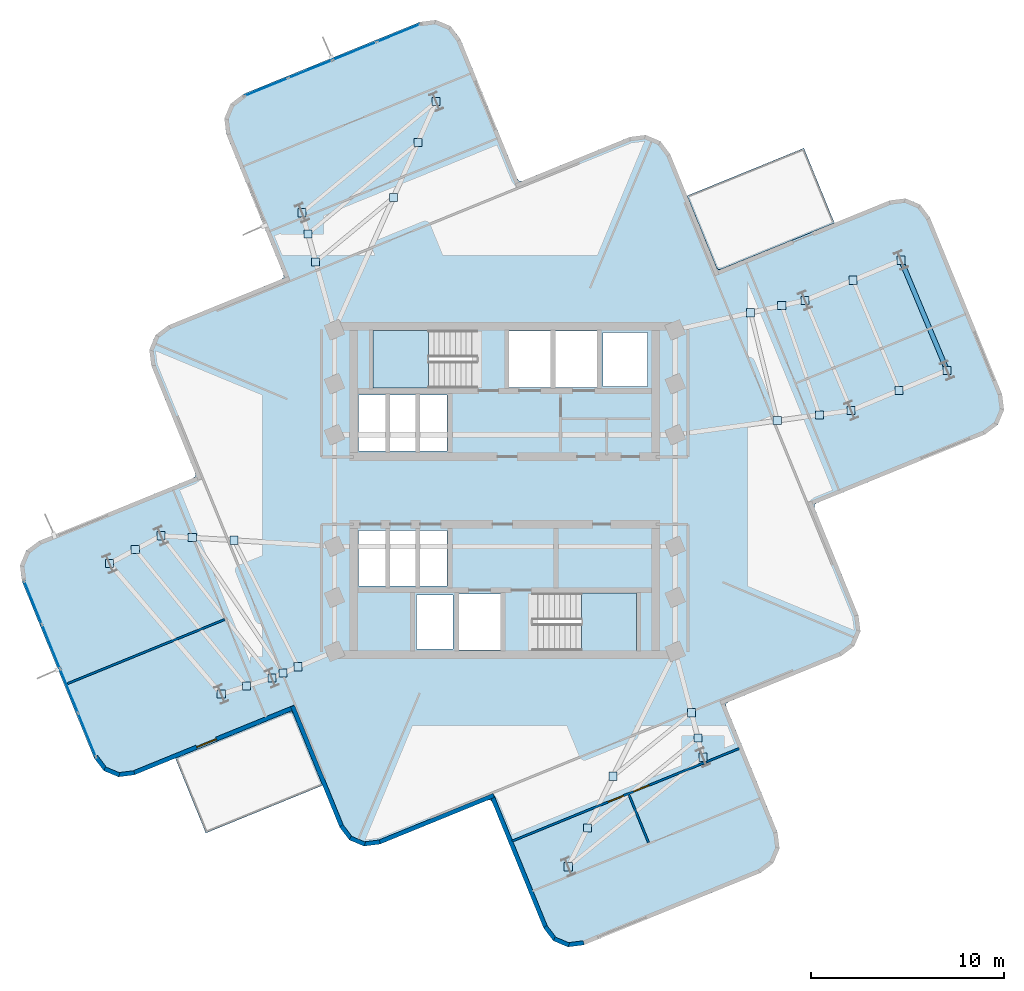
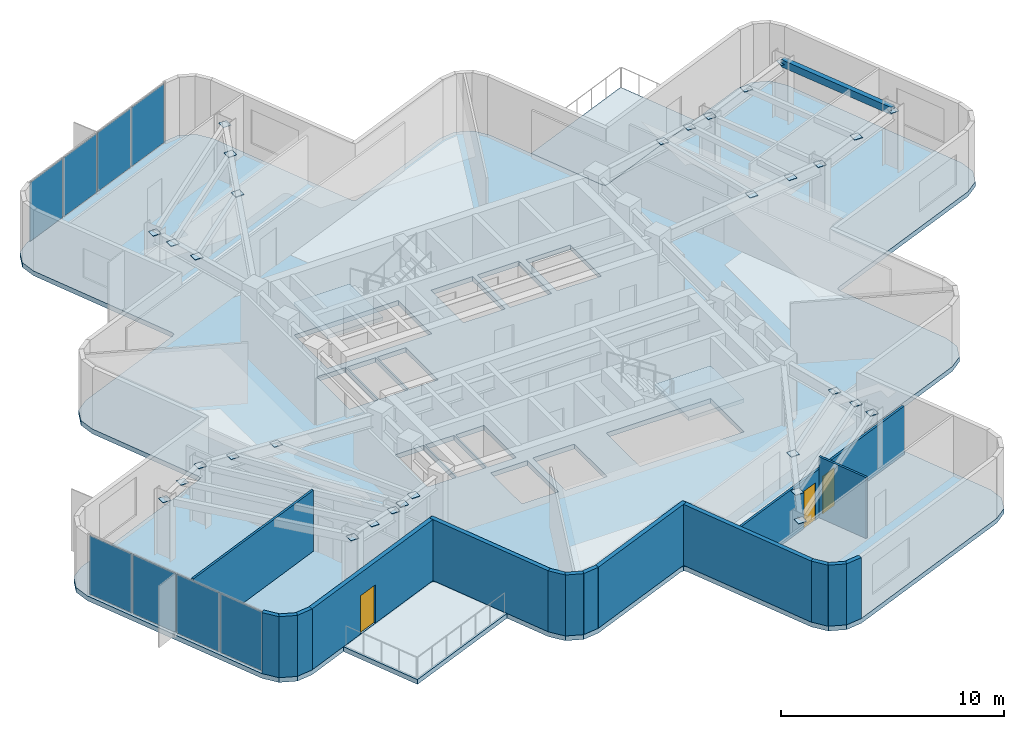
# One storey, part 5 of 11: 40 plates, 16 walls, 5 slabs, 3 doors, 1 beam, 3 openings, 4 elements without a shape of their own.
"""IFC4 building model written with IfcOpenShell, lengths in metres."""

from ifc_helpers import new_model, si_unit, direction, frame, frame_2d, origin, origin_2d, place, context, subcontext, project, spatial, polyline, rectangle, hollow_rectangle, outline, extrude, material, layer, layer_set, material_profile, profile_set, type_object, element, fill, aggregate, save


model = new_model("IFC4")

# Units and contexts
model_context = context("Model", 3, precision=1e-05, world=origin(), true_north=direction((0.0, 1.0)))
body_context = subcontext(model_context, "Body", "Model", "MODEL_VIEW")
ifc_project = project(units=[si_unit("LENGTHUNIT", "METRE"), si_unit("AREAUNIT", "SQUARE_METRE"), si_unit("VOLUMEUNIT", "CUBIC_METRE"), si_unit("PLANEANGLEUNIT", "RADIAN"), si_unit("MASSUNIT", "GRAM", prefix="KILO")], contexts=[model_context])

# Site, building, storey
site_placement = place(None, origin())
site = spatial("IfcSite", under=ifc_project, at=site_placement, CompositionType="ELEMENT")
building_placement = place(site_placement, origin())
building = spatial("IfcBuilding", under=site, at=building_placement, Name="Solmarez Civic Tower", CompositionType="ELEMENT")
storey_placement = place(building_placement, frame((0.0, 0.0, 177.47998046875)))
storey = spatial("IfcBuildingStorey", under=building, at=storey_placement, Name="L47", CompositionType="ELEMENT", Elevation=177.47998046875)

# Beam
ifc_material_1 = material(Name="Steel S355", Category="steel")
ifc_material_profile = material_profile(ifc_material_1, hollow_rectangle(XDim=0.25, YDim=0.39990234375, WallThickness=0.01611328125, at=origin_2d()), Name="HSS400X250X16")
ifc_profile_set = profile_set([ifc_material_profile], Name="Steel S355")
beam_type = type_object("IfcBeamType", Name="BM-SP-HSS400X250", PredefinedType="SPANDREL", material=ifc_profile_set)
beam_placement = place(storey_placement, frame((22.968017578125, 6.248046875, 3.14013671875), z_axis=(-0.385876218946, 0.922550564279, 0.0), x_axis=(-0.922550564279, -0.385876218946, 0.0)))
element("IfcBeam", 1, at=beam_placement, inside=storey, type_object=beam_type, Name="L47 Perimeter Spandrel Beam BM-L47-EA-T2", PredefinedType="SPANDREL", context=body_context, shape_type="SweptSolid", body=[
    extrude(hollow_rectangle(XDim=0.25, YDim=0.39990234375, WallThickness=0.01611328125, at=origin_2d()), origin(), (0.0, 0.0, 1.0), 6.19921875),
])

# Curtain wall, plates
ifc_material_2 = material(Name="Bronze Anodised Aluminium EN AW-6063 T6", Category="aluminium")
ifc_layer_1 = layer(ifc_material_2, 0.155029296875)
ifc_layer_set_1 = layer_set([ifc_layer_1], Name="Bronze Anodised Aluminium EN AW-6063 T6")
curtain_wall_type = type_object("IfcCurtainWallType", Name="CW-SYS-6", PredefinedType="NOTDEFINED", material=ifc_layer_set_1)
curtain_wall_1_placement = place(storey_placement, origin())
curtain_wall_1 = element("IfcCurtainWall", 2, at=curtain_wall_1_placement, inside=storey, type_object=curtain_wall_type, Name="L47 Stick-Built Curtain Wall 1", PredefinedType="NOTDEFINED")
ifc_material_3 = material(Name="Solar Control Low-E Laminated Vision Glass", Category="glass")
ifc_layer_2 = layer(ifc_material_3, 0.031982421875)
ifc_layer_set_2 = layer_set([ifc_layer_2], Name="Solar Control Low-E Laminated Vision Glass")
plate_type_1 = type_object("IfcPlateType", Name="CWP-GLAZ-32", PredefinedType="CURTAIN_PANEL", material=ifc_layer_set_2)
plate_1_placement = place(storey_placement, frame((-21.7041015625, -12.69140625, 0.06005859375), z_axis=(0.0, 0.0, 1.0), x_axis=(-0.377747405635, 0.925908687472, 0.0)))
plate_1 = element("IfcPlate", 3, at=plate_1_placement, type_object=plate_type_1, Name="CWS6 panel 1.1", PredefinedType="CURTAIN_PANEL", context=body_context, shape_type="SweptSolid", body=[
    extrude(rectangle(XDim=2.380126953125, YDim=0.031982421875, at=origin_2d()), origin(), (0.0, 0.0, 1.0), 3.219970703125),
])
plate_2_placement = place(storey_placement, frame((-22.63623046875, -10.406494140625, 0.06005859375), z_axis=(0.0, 0.0, 1.0), x_axis=(-0.377747405635, 0.925908687472, 0.0)))
plate_2 = element("IfcPlate", 4, at=plate_2_placement, type_object=plate_type_1, Name="CWS6 panel 2.1", PredefinedType="CURTAIN_PANEL", context=body_context, shape_type="SweptSolid", body=[
    extrude(rectangle(XDim=2.4150390625, YDim=0.031982421875, at=origin_2d()), origin(), (0.0, 0.0, 1.0), 3.219970703125),
])
plate_3_placement = place(storey_placement, frame((-23.574951171875, -8.10546875, 0.06005859375), z_axis=(0.0, 0.0, 1.0), x_axis=(-0.377747405635, 0.925908687472, 0.0)))
plate_3 = element("IfcPlate", 5, at=plate_3_placement, type_object=plate_type_1, Name="CWS6 panel 3.1", PredefinedType="CURTAIN_PANEL", context=body_context, shape_type="SweptSolid", body=[
    extrude(rectangle(XDim=2.4150390625, YDim=0.031982421875, at=origin_2d()), origin(), (0.0, 0.0, 1.0), 3.219970703125),
])
plate_4_placement = place(storey_placement, frame((-24.507080078125, -5.82080078125, 0.06005859375), z_axis=(0.0, 0.0, 1.0), x_axis=(-0.377747405635, 0.925908687472, 0.0)))
plate_4 = element("IfcPlate", 6, at=plate_4_placement, type_object=plate_type_1, Name="CWS6 panel 4.1", PredefinedType="CURTAIN_PANEL", context=body_context, shape_type="SweptSolid", body=[
    extrude(rectangle(XDim=2.380126953125, YDim=0.031982421875, at=origin_2d()), origin(), (0.0, 0.0, 1.0), 3.219970703125),
])
aggregate(curtain_wall_1, [plate_1, plate_2, plate_3, plate_4])

curtain_wall_2_placement = place(storey_placement, origin())
curtain_wall_2 = element("IfcCurtainWall", 7, at=curtain_wall_2_placement, inside=storey, type_object=curtain_wall_type, Name="L47 Stick-Built Curtain Wall 2", PredefinedType="NOTDEFINED")
plate_5_placement = place(storey_placement, frame((-12.389404296875, 20.962890625, 0.06005859375), z_axis=(0.0, 0.0, 1.0), x_axis=(0.925908687472, 0.377747405635, 0.0)))
plate_5 = element("IfcPlate", 8, at=plate_5_placement, type_object=plate_type_1, Name="CWS6 panel 1.1", PredefinedType="CURTAIN_PANEL", context=body_context, shape_type="SweptSolid", body=[
    extrude(rectangle(XDim=2.380126953125, YDim=0.031982421875, at=origin_2d()), origin(), (0.0, 0.0, 1.0), 3.219970703125),
])
plate_6_placement = place(storey_placement, frame((-10.1044921875, 21.89501953125, 0.06005859375), z_axis=(0.0, 0.0, 1.0), x_axis=(0.925908687472, 0.377747405635, 0.0)))
plate_6 = element("IfcPlate", 9, at=plate_6_placement, type_object=plate_type_1, Name="CWS6 panel 2.1", PredefinedType="CURTAIN_PANEL", context=body_context, shape_type="SweptSolid", body=[
    extrude(rectangle(XDim=2.4150390625, YDim=0.031982421875, at=origin_2d()), origin(), (0.0, 0.0, 1.0), 3.219970703125),
])
plate_7_placement = place(storey_placement, frame((-7.803466796875, 22.833984375, 0.06005859375), z_axis=(0.0, 0.0, 1.0), x_axis=(0.925908687472, 0.377747405635, 0.0)))
plate_7 = element("IfcPlate", 10, at=plate_7_placement, type_object=plate_type_1, Name="CWS6 panel 3.1", PredefinedType="CURTAIN_PANEL", context=body_context, shape_type="SweptSolid", body=[
    extrude(rectangle(XDim=2.4150390625, YDim=0.031982421875, at=origin_2d()), origin(), (0.0, 0.0, 1.0), 3.219970703125),
])
plate_8_placement = place(storey_placement, frame((-5.518798828125, 23.76611328125, 0.06005859375), z_axis=(0.0, 0.0, 1.0), x_axis=(0.925908687472, 0.377747405635, 0.0)))
plate_8 = element("IfcPlate", 11, at=plate_8_placement, type_object=plate_type_1, Name="CWS6 panel 4.1", PredefinedType="CURTAIN_PANEL", context=body_context, shape_type="SweptSolid", body=[
    extrude(rectangle(XDim=2.380126953125, YDim=0.031982421875, at=origin_2d()), origin(), (0.0, 0.0, 1.0), 3.219970703125),
])
aggregate(curtain_wall_2, [plate_5, plate_6, plate_7, plate_8])

# Plates
ifc_layer_3 = layer(ifc_material_1, 0.02392578125)
ifc_layer_set_3 = layer_set([ifc_layer_3], Name="Steel S355")
plate_type_2 = type_object("IfcPlateType", Name="PLT-CAP-380", PredefinedType="USERDEFINED", material=ifc_layer_set_3)
for number, where, z_axis, x_axis, name in (
    (12, (17.987060546875, 4.1640625, 3.177978515625), (0.0, 0.0, 1.0), (1.0, 0.0, 0.0), "Steel Member End Cap Plate CAP-BM-L47-EA-T1-0"),
    (13, (15.593994140625, 9.883056640625, 3.177978515625), (0.0, 0.0, 1.0), (1.0, 0.0, 0.0), "Steel Member End Cap Plate CAP-BM-L47-EA-T1-1"),
    (14, (22.968017578125, 6.248046875, 3.128173828125), (0.0, 0.0, 1.0), (1.0, 0.0, 0.0), "Steel Member End Cap Plate CAP-BM-L47-EA-T2-0"),
    (15, (20.575927734375, 11.967041015625, 3.128173828125), (0.0, 0.0, 1.0), (1.0, 0.0, 0.0), "Steel Member End Cap Plate CAP-BM-L47-EA-T2-1"),
    (16, (20.47705078125, 5.2060546875, 3.177978515625), (0.0, 0.0, 1.0), (1.0, 0.0, 0.0), "Steel Member End Cap Plate CAP-JS-L47-EA-M2-0"),
    (17, (18.0849609375, 10.925048828125, 3.177978515625), (0.0, 0.0, 1.0), (1.0, 0.0, 0.0), "Steel Member End Cap Plate CAP-JS-L47-EA-M2-1"),
    (18, (14.14892578125, 3.633056640625, 3.177978515625), (0.0, 0.0, 1.0), (1.0, 0.0, 0.0), "Steel Member End Cap Plate CAP-JS-L47-EA-M11-0"),
    (19, (12.761962890625, 9.239013671875, 3.177978515625), (0.0, 0.0, 1.0), (1.0, 0.0, 0.0), "Steel Member End Cap Plate CAP-JS-L47-EA-M11-1"),
    (20, (16.342041015625, 3.93603515625, 3.177978515625), (0.0, 0.0, 1.0), (1.0, 0.0, 0.0), "Steel Member End Cap Plate CAP-JS-L47-EA-M12-0"),
    (21, (14.3798828125, 9.60693359375, 3.177978515625), (0.0, 0.0, 1.0), (1.0, 0.0, 0.0), "Steel Member End Cap Plate CAP-JS-L47-EA-M12-1"),
    (22, (-3.570068359375, 20.20703125, 3.177978515625), (0.0, 0.0, 1.0), (1.0, 0.0, 0.0), "Steel Member End Cap Plate CAP-BM-L47-NA-T1-0"),
    (23, (-10.532958984375, 14.43310546875, 3.177978515625), (0.0, 0.0, 1.0), (1.0, 0.0, 0.0), "Steel Member End Cap Plate CAP-BM-L47-NA-T1-1"),
    (24, (-5.7880859375, 15.22705078125, 3.177978515625), (0.0, 0.0, 1.0), (1.0, 0.0, 0.0), "Steel Member End Cap Plate CAP-JS-L47-NA-M11-0"),
    (25, (-9.825927734375, 11.8779296875, 3.177978515625), (0.0, 0.0, 1.0), (1.0, 0.0, 0.0), "Steel Member End Cap Plate CAP-JS-L47-NA-M11-1"),
    (26, (-4.52001953125, 18.072998046875, 3.177978515625), (0.0, 0.0, 1.0), (1.0, 0.0, 0.0), "Steel Member End Cap Plate CAP-JS-L47-NA-M12-0"),
    (27, (-10.22998046875, 13.337890625, 3.177978515625), (0.0, 0.0, 1.0), (1.0, 0.0, 0.0), "Steel Member End Cap Plate CAP-JS-L47-NA-M12-1"),
    (28, (-17.85791015625, -2.345947265625, 3.177978515625), (0.0, 0.0, 1.0), (1.0, 0.0, 0.0), "Steel Member End Cap Plate CAP-BM-L47-WA-T1-0"),
    (29, (-12.10595703125, -9.73095703125, 3.177978515625), (0.0, 0.0, 1.0), (1.0, 0.0, 0.0), "Steel Member End Cap Plate CAP-BM-L47-WA-T1-1"),
    (30, (-20.534912109375, -3.7880859375, 3.128173828125), (0.0, 0.0, 1.0), (1.0, 0.0, 0.0), "Steel Member End Cap Plate CAP-BM-L47-WA-T2-0"),
    (31, (-14.73095703125, -10.572998046875, 3.128173828125), (0.0, 0.0, 1.0), (1.0, 0.0, 0.0), "Steel Member End Cap Plate CAP-BM-L47-WA-T2-1"),
    (32, (-19.197021484375, -3.06689453125, 3.177978515625), (0.0, 0.0, 1.0), (1.0, 0.0, 0.0), "Steel Member End Cap Plate CAP-JS-L47-WA-M2-0"),
    (33, (-13.41796875, -10.152099609375, 3.177978515625), (0.0, 0.0, 1.0), (1.0, 0.0, 0.0), "Steel Member End Cap Plate CAP-JS-L47-WA-M2-1"),
    (34, (-14.074951171875, -2.5791015625, 3.177978515625), (0.0, 0.0, 1.0), (1.0, 0.0, 0.0), "Steel Member End Cap Plate CAP-JS-L47-WA-M11-0"),
    (35, (-10.738037109375, -9.15087890625, 3.177978515625), (0.0, 0.0, 1.0), (1.0, 0.0, 0.0), "Steel Member End Cap Plate CAP-JS-L47-WA-M11-1"),
    (36, (-16.237060546875, -2.446044921875, 3.177978515625), (0.0, 0.0, 1.0), (1.0, 0.0, 0.0), "Steel Member End Cap Plate CAP-JS-L47-WA-M12-0"),
    (37, (-11.52001953125, -9.48193359375, 3.177978515625), (0.0, 0.0, 1.0), (1.0, 0.0, 0.0), "Steel Member End Cap Plate CAP-JS-L47-WA-M12-1"),
    (38, (3.2900390625, -19.535888671875, 3.177978515625), (0.0, 0.0, 1.0), (1.0, 0.0, 0.0), "Steel Member End Cap Plate CAP-BM-L47-SA-T1-0"),
    (39, (10.2900390625, -13.85009765625, 3.177978515625), (0.0, 0.0, 1.0), (1.0, 0.0, 0.0), "Steel Member End Cap Plate CAP-BM-L47-SA-T1-1"),
    (40, (5.625, -14.837890625, 3.177978515625), (0.0, 0.0, 1.0), (1.0, 0.0, 0.0), "Steel Member End Cap Plate CAP-JS-L47-SA-M11-0"),
    (41, (9.68505859375, -11.5400390625, 3.177978515625), (0.0, 0.0, 1.0), (1.0, 0.0, 0.0), "Steel Member End Cap Plate CAP-JS-L47-SA-M11-1"),
    (42, (4.291015625, -17.52294921875, 3.177978515625), (0.0, 0.0, 1.0), (1.0, 0.0, 0.0), "Steel Member End Cap Plate CAP-JS-L47-SA-M12-0"),
    (43, (10.031005859375, -12.860107421875, 3.177978515625), (0.0, 0.0, 1.0), (1.0, 0.0, 0.0), "Steel Member End Cap Plate CAP-JS-L47-SA-M12-1"),
):
    element("IfcPlate", number, at=place(storey_placement, frame(where, z_axis=z_axis, x_axis=x_axis)), inside=storey, type_object=plate_type_2, Name=name, ObjectType="CAP_PLATE", PredefinedType="USERDEFINED", context=body_context, shape_type="SweptSolid", body=[
        extrude(rectangle(XDim=0.419921875, YDim=0.419921875, at=origin_2d()), origin(), (0.0, 0.0, 1.0), 0.02392578125),
    ])

# Stair, slab
ifc_material_4 = material(Name="Concrete C50/60", Category="concrete")
stair_type = type_object("IfcStairType", Name="STAIR-DOGLEG-140W-20R-1800", PredefinedType="HALF_TURN_STAIR", material=ifc_material_4)
stair_1_placement = place(storey_placement, origin())
stair_1 = element("IfcStair", 44, at=stair_1_placement, inside=storey, type_object=stair_type, Name="L47 North Core Protected Exit Stair ST-1", PredefinedType="HALF_TURN_STAIR")
ifc_layer_4 = layer(ifc_material_4, 0.199951171875)
ifc_layer_set_4 = layer_set([ifc_layer_4], Name="Concrete C50/60")
slab_type_1 = type_object("IfcSlabType", Name="SLAB-LANDING-200", PredefinedType="LANDING", material=ifc_layer_set_4)
slab_1_placement = place(storey_placement, frame((0.0, 0.0, 1.60009765625)))
slab_1 = element("IfcSlab", 45, at=slab_1_placement, type_object=slab_type_1, Name="ST-1 landing 1", PredefinedType="LANDING", context=body_context, shape_type="SweptSolid", body=[
    extrude(outline(polyline([(-3.969970703125, 8.320068359375), (-6.85009765625, 8.320068359375), (-6.85009765625, 5.320068359375), (-3.969970703125, 5.320068359375), (-3.969970703125, 8.320068359375)])), origin(), (0.0, 0.0, 1.0), 0.199951171875),
])
aggregate(stair_1, [slab_1])

stair_2_placement = place(storey_placement, origin())
stair_2 = element("IfcStair", 46, at=stair_2_placement, inside=storey, type_object=stair_type, Name="L47 South Core Protected Exit Stair ST-2", PredefinedType="HALF_TURN_STAIR")
slab_2_placement = place(storey_placement, frame((0.0, 0.0, 1.60009765625)))
slab_2 = element("IfcSlab", 47, at=slab_2_placement, type_object=slab_type_1, Name="ST-2 landing 1", PredefinedType="LANDING", context=body_context, shape_type="SweptSolid", body=[
    extrude(outline(polyline([(3.969970703125, -8.320068359375), (6.85009765625, -8.320068359375), (6.85009765625, -5.320068359375), (3.969970703125, -5.320068359375), (3.969970703125, -8.320068359375)])), origin(), (0.0, 0.0, 1.0), 0.199951171875),
])
aggregate(stair_2, [slab_2])

# Slabs
ifc_layer_5 = layer(ifc_material_4, 0.260009765625)
ifc_layer_set_5 = layer_set([ifc_layer_5], Name="Concrete C50/60")
slab_type_2 = type_object("IfcSlabType", Name="SLAB-TOWER-260", PredefinedType="FLOOR", material=ifc_layer_set_5)
slab_3_placement = place(storey_placement, frame((0.0, 0.0, -0.260009765625)))
element("IfcSlab", 48, at=slab_3_placement, inside=storey, type_object=slab_type_2, Name="L47 Structural Slab", PredefinedType="FLOOR", context=body_context, shape_type="SweptSolid", body=[
    extrude(outline(polyline([(-10.97412109375, -11.617919921875), (-8.577880859375, -17.488037109375), (-8.077880859375, -18.14697265625), (-7.31396484375, -18.468017578125), (-6.491943359375, -18.364013671875), (-0.9189453125, -16.090087890625), (-0.7490234375, -16.069091796875), (-0.64501953125, -16.2060546875), (2.014892578125, -22.722900390625), (2.51611328125, -23.383056640625), (3.279052734375, -23.7041015625), (4.10107421875, -23.60009765625), (13.285888671875, -19.85205078125), (13.945068359375, -19.35107421875), (14.26611328125, -18.5869140625), (14.1630859375, -17.76611328125), (11.5029296875, -11.248046875), (11.48095703125, -11.077880859375), (11.617919921875, -10.97412109375), (17.488037109375, -8.577880859375), (18.14697265625, -8.077880859375), (18.468017578125, -7.31396484375), (18.364013671875, -6.491943359375), (16.090087890625, -0.9189453125), (16.069091796875, -0.7490234375), (16.2060546875, -0.64501953125), (24.945068359375, 2.922119140625), (25.60498046875, 3.423095703125), (25.926025390625, 4.18603515625), (25.822021484375, 5.008056640625), (22.073974609375, 14.19189453125), (21.572998046875, 14.85205078125), (20.81005859375, 15.173095703125), (19.988037109375, 15.069091796875), (11.248046875, 11.5029296875), (11.077880859375, 11.48095703125), (10.97412109375, 11.617919921875), (8.577880859375, 17.488037109375), (8.077880859375, 18.14697265625), (7.31396484375, 18.468017578125), (6.491943359375, 18.364013671875), (0.9189453125, 16.090087890625), (0.7490234375, 16.069091796875), (0.64501953125, 16.2060546875), (-2.31689453125, 23.464111328125), (-2.818115234375, 24.123046875), (-3.58203125, 24.444091796875), (-4.403076171875, 24.341064453125), (-13.587890625, 20.592041015625), (-14.248046875, 20.092041015625), (-14.569091796875, 19.327880859375), (-14.465087890625, 18.506103515625), (-11.5029296875, 11.248046875), (-11.48095703125, 11.077880859375), (-11.617919921875, 10.97412109375), (-17.488037109375, 8.577880859375), (-18.14697265625, 8.077880859375), (-18.468017578125, 7.31396484375), (-18.364013671875, 6.491943359375), (-16.090087890625, 0.9189453125), (-16.069091796875, 0.7490234375), (-16.2060546875, 0.64501953125), (-24.2041015625, -2.6201171875), (-24.864013671875, -3.1201171875), (-25.18505859375, -3.884033203125), (-25.0810546875, -4.7060546875), (-21.3330078125, -13.889892578125), (-20.83203125, -14.550048828125), (-20.069091796875, -14.87109375), (-19.2470703125, -14.76708984375), (-11.248046875, -11.5029296875), (-11.077880859375, -11.48095703125), (-10.97412109375, -11.617919921875)]), holes=[polyline([(-1.449951171875, 8.320068359375), (-6.85009765625, 8.320068359375), (-6.85009765625, 5.320068359375), (-1.449951171875, 5.320068359375), (-1.449951171875, 8.320068359375)]), polyline([(1.449951171875, -8.320068359375), (6.85009765625, -8.320068359375), (6.85009765625, -5.320068359375), (1.449951171875, -5.320068359375), (1.449951171875, -8.320068359375)]), polyline([(0.219970703125, 5.360107421875), (2.3798828125, 5.360107421875), (2.3798828125, 8.280029296875), (0.219970703125, 8.280029296875), (0.219970703125, 5.360107421875)]), polyline([(2.6201171875, 5.360107421875), (4.780029296875, 5.360107421875), (4.780029296875, 8.280029296875), (2.6201171875, 8.280029296875), (2.6201171875, 5.360107421875)]), polyline([(-2.3798828125, -8.280029296875), (-0.219970703125, -8.280029296875), (-0.219970703125, -5.360107421875), (-2.3798828125, -5.360107421875), (-2.3798828125, -8.280029296875)]), polyline([(-7.60009765625, -4.9599609375), (-6.1201171875, -4.9599609375), (-6.1201171875, -2.06005859375), (-7.60009765625, -2.06005859375), (-7.60009765625, -4.9599609375)]), polyline([(-6.0400390625, -4.9599609375), (-4.56005859375, -4.9599609375), (-4.56005859375, -2.06005859375), (-6.0400390625, -2.06005859375), (-6.0400390625, -4.9599609375)]), polyline([(-4.47998046875, -4.9599609375), (-3.0, -4.9599609375), (-3.0, -2.06005859375), (-4.47998046875, -2.06005859375), (-4.47998046875, -4.9599609375)]), polyline([(-7.60009765625, 2.06005859375), (-6.1201171875, 2.06005859375), (-6.1201171875, 4.9599609375), (-7.60009765625, 4.9599609375), (-7.60009765625, 2.06005859375)]), polyline([(-6.0400390625, 2.06005859375), (-4.56005859375, 2.06005859375), (-4.56005859375, 4.9599609375), (-6.0400390625, 4.9599609375), (-6.0400390625, 2.06005859375)]), polyline([(-4.47998046875, 2.06005859375), (-3.0, 2.06005859375), (-3.0, 4.9599609375), (-4.47998046875, 4.9599609375), (-4.47998046875, 2.06005859375)]), polyline([(5.10009765625, 5.419921875), (7.39990234375, 5.419921875), (7.39990234375, 8.219970703125), (5.10009765625, 8.219970703125), (5.10009765625, 5.419921875)]), polyline([(-4.60009765625, -8.219970703125), (-2.699951171875, -8.219970703125), (-2.699951171875, -5.419921875), (-4.60009765625, -5.419921875), (-4.60009765625, -8.219970703125)])]), origin(), (0.0, 0.0, 1.0), 0.260009765625),
])
slab_4_placement = place(storey_placement, frame((0.0, 0.0, -0.260009765625)))
element("IfcSlab", 49, at=slab_4_placement, inside=storey, type_object=slab_type_2, Name="L47 Re-entrant Corner Winter-Garden Balcony NE", PredefinedType="FLOOR", context=body_context, shape_type="SweptSolid", body=[
    extrude(outline(polyline([(9.468017578125, 15.31298828125), (10.97509765625, 11.618896484375), (11.0791015625, 11.48291015625), (11.248046875, 11.5048828125), (17.116943359375, 13.89990234375), (15.531005859375, 17.787109375), (9.468017578125, 15.31298828125)])), origin(), (0.0, 0.0, 1.0), 0.260009765625),
])
slab_5_placement = place(storey_placement, frame((0.0, 0.0, -0.260009765625)))
element("IfcSlab", 50, at=slab_5_placement, inside=storey, type_object=slab_type_2, Name="L47 Re-entrant Corner Winter-Garden Balcony SW", PredefinedType="FLOOR", context=body_context, shape_type="SweptSolid", body=[
    extrude(outline(polyline([(-9.468017578125, -15.31298828125), (-10.97509765625, -11.618896484375), (-11.0791015625, -11.48291015625), (-11.248046875, -11.5048828125), (-17.116943359375, -13.89990234375), (-15.531005859375, -17.787109375), (-9.468017578125, -15.31298828125)])), origin(), (0.0, 0.0, 1.0), 0.260009765625),
])

# Wall, opening, door
ifc_material_5 = material(Name="Precast concrete C40/50", Category="concrete")
ifc_layer_6 = layer(ifc_material_5, 0.219970703125)
ifc_layer_set_6 = layer_set([ifc_layer_6], Name="Precast concrete C40/50")
wall_type_1 = type_object("IfcWallType", Name="WALL-EXT-220", PredefinedType="SOLIDWALL", material=ifc_layer_set_6)
wall_1_placement = place(storey_placement, frame((-10.912109375, -11.24609375, 0.0), z_axis=(0.0, 0.0, 1.0), x_axis=(-0.925847643695, -0.377896997427, 0.0)))
wall_1 = element("IfcWall", 51, at=wall_1_placement, inside=storey, type_object=wall_type_1, Name="L47 Exterior Precast Wall 2", PredefinedType="SOLIDWALL", context=body_context, shape_type="SweptSolid", body=[
    extrude(rectangle(XDim=9.0576171875, YDim=0.219970703125, at=frame_2d((4.52880859375, 0.0))), origin(), (0.0, 0.0, 1.0), 3.340087890625),
])
opening_1_placement = place(wall_1_placement, frame((4.39990234375, 0.0, 0.0)))
opening_1 = element("IfcOpeningElement", 52, at=opening_1_placement, cuts=wall_1, Name="Opening D-06", PredefinedType="OPENING", context=body_context, shape_type="SweptSolid", body=[
    extrude(rectangle(XDim=1.10009765625, YDim=2.10009765625, at=frame_2d((0.550048828125, 1.050048828125))), frame((0.0, 0.119873046875, 0.0), z_axis=(0.0, -1.0, 0.0), x_axis=(1.0, 0.0, 0.0)), (0.0, 0.0, 1.0), 0.239990234375),
])
ifc_material_6 = material(Name="Bronze Anodised Aluminium Glazed Terrace Door", Category="aluminium")
door_type_1 = type_object("IfcDoorType", Name="DOOR-TERR-1100", OperationType="NOTDEFINED", PredefinedType="DOOR", material=ifc_material_6)
door_1_placement = place(opening_1_placement, origin())
door_1 = element("IfcDoor", 53, at=door_1_placement, inside=storey, type_object=door_type_1, Name="L47 Outdoor Terrace Glazed Door", OperationType="SINGLE_SWING_RIGHT", OverallHeight=2.10009765625, OverallWidth=1.10009765625, PredefinedType="DOOR", context=body_context, shape_type="SweptSolid", body=[
    extrude(rectangle(XDim=1.10009765625, YDim=2.10009765625, at=frame_2d((0.550048828125, 1.050048828125))), frame((0.0, 0.02490234375, 0.0), z_axis=(0.0, -1.0, 0.0), x_axis=(1.0, 0.0, 0.0)), (0.0, 0.0, 1.0), 0.050048828125),
])
fill(opening_1, door_1)

# Walls
wall_2_placement = place(storey_placement, frame((-19.25, -14.656982421875, 0.0), z_axis=(0.0, 0.0, 1.0), x_axis=(-0.992201162123, -0.124646916858, 0.0)))
element("IfcWall", 54, at=wall_2_placement, inside=storey, type_object=wall_type_1, Name="L47 Exterior Precast Wall 3", PredefinedType="SOLIDWALL", context=body_context, shape_type="SweptSolid", body=[
    extrude(rectangle(XDim=0.83447265625, YDim=0.219970703125, at=frame_2d((0.417236328125, 0.0))), origin(), (0.0, 0.0, 1.0), 3.340087890625),
])
wall_3_placement = place(storey_placement, frame((-20.030029296875, -14.76806640625, 0.0), z_axis=(0.0, 0.0, 1.0), x_axis=(-0.921697006113, 0.387910593981, 0.0)))
element("IfcWall", 55, at=wall_3_placement, inside=storey, type_object=wall_type_1, Name="L47 Exterior Precast Wall 4", PredefinedType="SOLIDWALL", context=body_context, shape_type="SweptSolid", body=[
    extrude(rectangle(XDim=0.820068359375, YDim=0.219970703125, at=frame_2d((0.41015625, 0.0))), origin(), (0.0, 0.0, 1.0), 3.340087890625),
])
for number, where, z_axis, x_axis, name in (
    (56, (-20.748046875, -14.47998046875, 0.0), (0.0, 0.0, 1.0), (-0.603925287566, 0.797040931846, 0.0), "L47 Exterior Precast Wall 5"),
    (57, (4.097900390625, -23.489990234375, 0.0), (0.0, 0.0, 1.0), (-0.992201162123, -0.124646916858, 0.0), "L47 Exterior Precast Wall 61"),
):
    element("IfcWall", number, at=place(storey_placement, frame(where, z_axis=z_axis, x_axis=x_axis)), inside=storey, type_object=wall_type_1, Name=name, PredefinedType="SOLIDWALL", context=body_context, shape_type="SweptSolid", body=[
        extrude(rectangle(XDim=0.83447265625, YDim=0.219970703125, at=frame_2d((0.417236328125, 0.0))), origin(), (0.0, 0.0, 1.0), 3.340087890625),
    ])
wall_4_placement = place(storey_placement, frame((3.318115234375, -23.60107421875, 0.0), z_axis=(0.0, 0.0, 1.0), x_axis=(-0.921562448508, 0.38823015532, 0.0)))
element("IfcWall", 58, at=wall_4_placement, inside=storey, type_object=wall_type_1, Name="L47 Exterior Precast Wall 62", PredefinedType="SOLIDWALL", context=body_context, shape_type="SweptSolid", body=[
    extrude(rectangle(XDim=0.8193359375, YDim=0.219970703125, at=frame_2d((0.40966796875, 0.0))), origin(), (0.0, 0.0, 1.0), 3.340087890625),
])
wall_5_placement = place(storey_placement, frame((2.60107421875, -23.31298828125, 0.0), z_axis=(0.0, 0.0, 1.0), x_axis=(-0.604853461147, 0.796336794666, 0.0)))
element("IfcWall", 59, at=wall_5_placement, inside=storey, type_object=wall_type_1, Name="L47 Exterior Precast Wall 63", PredefinedType="SOLIDWALL", context=body_context, shape_type="SweptSolid", body=[
    extrude(rectangle(XDim=0.835205078125, YDim=0.219970703125, at=frame_2d((0.41748046875, 0.0))), origin(), (0.0, 0.0, 1.0), 3.340087890625),
])
wall_6_placement = place(storey_placement, frame((2.1201171875, -22.69091796875, 0.0), z_axis=(0.0, 0.0, 1.0), x_axis=(-0.377754391584, 0.92590583735, 0.0)))
element("IfcWall", 60, at=wall_6_placement, inside=storey, type_object=wall_type_1, Name="L47 Exterior Precast Wall 64", PredefinedType="SOLIDWALL", context=body_context, shape_type="SweptSolid", body=[
    extrude(rectangle(XDim=7.45751953125, YDim=0.219970703125, at=frame_2d((3.728759765625, 0.0))), origin(), (0.0, 0.0, 1.0), 3.340087890625),
])
wall_7_placement = place(storey_placement, frame((-0.5830078125, -15.833984375, 0.0), z_axis=(0.0, 0.0, 1.0), x_axis=(-0.925896916469, -0.377776256629, 0.0)))
element("IfcWall", 61, at=wall_7_placement, inside=storey, type_object=wall_type_1, Name="L47 Exterior Precast Wall 67", PredefinedType="SOLIDWALL", context=body_context, shape_type="SweptSolid", body=[
    extrude(rectangle(XDim=6.43798828125, YDim=0.219970703125, at=frame_2d((3.218994140625, 0.0))), origin(), (0.0, 0.0, 1.0), 3.340087890625),
])
wall_8_placement = place(storey_placement, frame((-6.49609375, -18.25390625, 0.0), z_axis=(0.0, 0.0, 1.0), x_axis=(-0.992201162123, -0.124646916858, 0.0)))
element("IfcWall", 62, at=wall_8_placement, inside=storey, type_object=wall_type_1, Name="L47 Exterior Precast Wall 68", PredefinedType="SOLIDWALL", context=body_context, shape_type="SweptSolid", body=[
    extrude(rectangle(XDim=0.83447265625, YDim=0.219970703125, at=frame_2d((0.417236328125, 0.0))), origin(), (0.0, 0.0, 1.0), 3.340087890625),
])
wall_9_placement = place(storey_placement, frame((-7.27587890625, -18.364990234375, 0.0), z_axis=(0.0, 0.0, 1.0), x_axis=(-0.9216690265, 0.387977068381, 0.0)))
element("IfcWall", 63, at=wall_9_placement, inside=storey, type_object=wall_type_1, Name="L47 Exterior Precast Wall 69", PredefinedType="SOLIDWALL", context=body_context, shape_type="SweptSolid", body=[
    extrude(rectangle(XDim=0.8193359375, YDim=0.219970703125, at=frame_2d((0.40966796875, 0.0))), origin(), (0.0, 0.0, 1.0), 3.340087890625),
])
wall_10_placement = place(storey_placement, frame((-7.992919921875, -18.076904296875, 0.0), z_axis=(0.0, 0.0, 1.0), x_axis=(-0.604815890473, 0.796365329878, 0.0)))
element("IfcWall", 64, at=wall_10_placement, inside=storey, type_object=wall_type_1, Name="L47 Exterior Precast Wall 70", PredefinedType="SOLIDWALL", context=body_context, shape_type="SweptSolid", body=[
    extrude(rectangle(XDim=0.83349609375, YDim=0.219970703125, at=frame_2d((0.416748046875, 0.0))), origin(), (0.0, 0.0, 1.0), 3.340087890625),
])
wall_11_placement = place(storey_placement, frame((-8.472900390625, -17.4560546875, 0.0), z_axis=(0.0, 0.0, 1.0), x_axis=(-0.377728271133, 0.925916493636, 0.0)))
element("IfcWall", 65, at=wall_11_placement, inside=storey, type_object=wall_type_1, Name="L47 Exterior Precast Wall 71", PredefinedType="SOLIDWALL", context=body_context, shape_type="SweptSolid", body=[
    extrude(rectangle(XDim=6.7587890625, YDim=0.219970703125, at=frame_2d((3.37939453125, 0.0))), origin(), (0.0, 0.0, 1.0), 3.340087890625),
])
ifc_material_7 = material(Name="Gypsum Board Acoustic Steel-Stud Partition", Category="steel")
ifc_layer_7 = layer(ifc_material_7, 0.110107421875)
ifc_layer_set_7 = layer_set([ifc_layer_7], Name="Gypsum Board Acoustic Steel-Stud Partition")
wall_type_2 = type_object("IfcWallType", Name="WALL-INT-PART-110", PredefinedType="PARTITIONING", material=ifc_layer_set_7)
wall_12_placement = place(storey_placement, frame((-14.549072265625, -6.694091796875, 0.0), z_axis=(0.0, 0.0, 1.0), x_axis=(-0.925908739044, -0.377747279226, 0.0)))
element("IfcWall", 66, at=wall_12_placement, inside=storey, type_object=wall_type_2, Name="L47 Interior Partition PT-L47-W-TM3", PredefinedType="PARTITIONING", context=body_context, shape_type="SweptSolid", body=[
    extrude(rectangle(XDim=8.81494140625, YDim=0.110107421875, at=frame_2d((4.407470703125, 0.0))), origin(), (0.0, 0.0, 1.0), 3.340087890625),
])
wall_13_placement = place(storey_placement, frame((6.446044921875, -15.794921875, 0.0), z_axis=(0.0, 0.0, 1.0), x_axis=(0.377834865886, -0.925873001076, 0.0)))
element("IfcWall", 67, at=wall_13_placement, inside=storey, type_object=wall_type_2, Name="L47 Interior Partition PT-L47-S-MM", PredefinedType="PARTITIONING", context=body_context, shape_type="SweptSolid", body=[
    extrude(rectangle(XDim=2.680908203125, YDim=0.110107421875, at=frame_2d((1.34033203125, 0.0))), origin(), (0.0, 0.0, 1.0), 3.340087890625),
])

# Wall, openings, doors
wall_14_placement = place(storey_placement, frame((0.373046875, -18.208984375, 0.0), z_axis=(0.0, 0.0, 1.0), x_axis=(0.925887289182, 0.377799851417, 0.0)))
wall_14 = element("IfcWall", 68, at=wall_14_placement, inside=storey, type_object=wall_type_2, Name="L47 Interior Partition PT-L47-S-S1", PredefinedType="PARTITIONING", context=body_context, shape_type="SweptSolid", body=[
    extrude(rectangle(XDim=12.749755859375, YDim=0.110107421875, at=frame_2d((6.375, 0.0))), origin(), (0.0, 0.0, 1.0), 2.64404296875),
])
opening_2_placement = place(wall_14_placement, frame((5.385009765625, 0.0, 0.0)))
opening_2 = element("IfcOpeningElement", 69, at=opening_2_placement, cuts=wall_14, Name="Opening D-14", PredefinedType="OPENING", context=body_context, shape_type="SweptSolid", body=[
    extrude(rectangle(XDim=0.860107421875, YDim=2.0400390625, at=frame_2d((0.43017578125, 1.02001953125))), frame((0.0, 0.06494140625, 0.0), z_axis=(0.0, -1.0, 0.0), x_axis=(1.0, 0.0, 0.0)), (0.0, 0.0, 1.0), 0.130126953125),
])
opening_3_placement = place(wall_14_placement, frame((6.824951171875, 0.0, 0.0)))
opening_3 = element("IfcOpeningElement", 70, at=opening_3_placement, cuts=wall_14, Name="Opening D-14", PredefinedType="OPENING", context=body_context, shape_type="SweptSolid", body=[
    extrude(rectangle(XDim=0.860107421875, YDim=2.0400390625, at=frame_2d((0.43017578125, 1.02001953125))), frame((0.0, 0.06494140625, 0.0), z_axis=(0.0, -1.0, 0.0), x_axis=(1.0, 0.0, 0.0)), (0.0, 0.0, 1.0), 0.130126953125),
])
ifc_material_8 = material(Name="Timber Storage and Pantry Door", Category="wood")
door_type_2 = type_object("IfcDoorType", Name="DOOR-INT-850", OperationType="NOTDEFINED", PredefinedType="DOOR", material=ifc_material_8)
door_2_placement = place(opening_2_placement, origin())
door_2 = element("IfcDoor", 71, at=door_2_placement, inside=storey, type_object=door_type_2, Name="L47 Citizen Legal Clinic Third South Door", OperationType="SINGLE_SWING_RIGHT", OverallHeight=2.0400390625, OverallWidth=0.860107421875, PredefinedType="DOOR", context=body_context, shape_type="SweptSolid", body=[
    extrude(rectangle(XDim=0.860107421875, YDim=2.0400390625, at=frame_2d((0.43017578125, 1.02001953125))), frame((0.0, 0.02490234375, 0.0), z_axis=(0.0, -1.0, 0.0), x_axis=(1.0, 0.0, 0.0)), (0.0, 0.0, 1.0), 0.050048828125),
])
fill(opening_2, door_2)
door_3_placement = place(opening_3_placement, origin())
door_3 = element("IfcDoor", 72, at=door_3_placement, inside=storey, type_object=door_type_2, Name="L47 Wellness Fitness Room Second South Door", OperationType="SINGLE_SWING_LEFT", OverallHeight=2.0400390625, OverallWidth=0.860107421875, PredefinedType="DOOR", context=body_context, shape_type="SweptSolid", body=[
    extrude(rectangle(XDim=0.860107421875, YDim=2.0400390625, at=frame_2d((0.43017578125, 1.02001953125))), frame((0.0, 0.02490234375, 0.0), z_axis=(0.0, -1.0, 0.0), x_axis=(1.0, 0.0, 0.0)), (0.0, 0.0, 1.0), 0.050048828125),
])
fill(opening_3, door_3)

save(model, "model.ifc")
